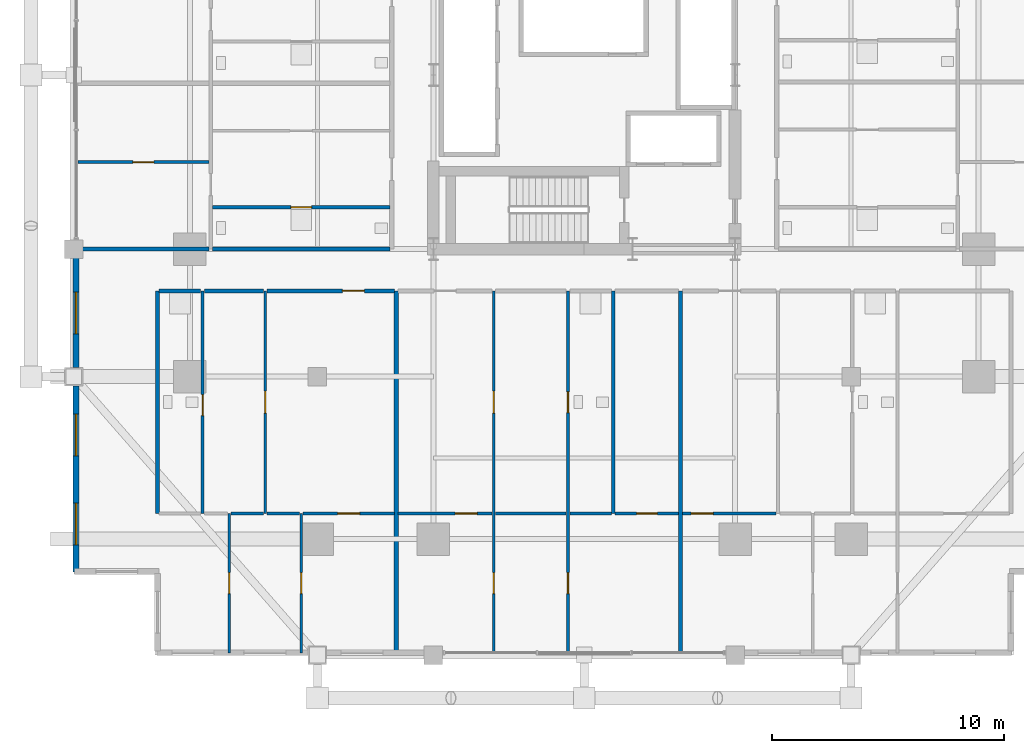
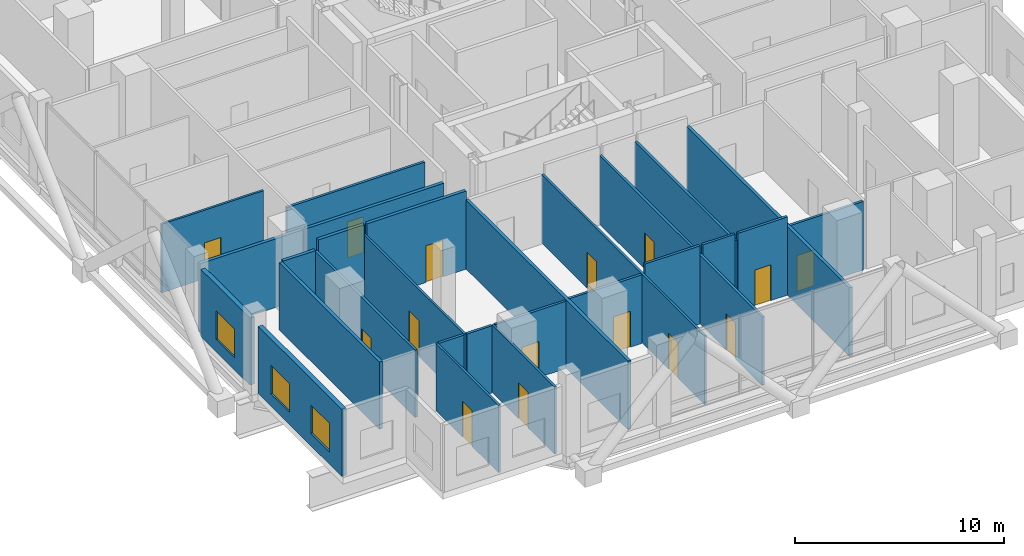
# One storey, part 23 of 33: 27 walls, 15 doors, 3 windows, 18 openings.
"""IFC4 building model written with IfcOpenShell, lengths in metres."""

from ifc_helpers import new_model, si_unit, direction, frame, frame_2d, origin, place, context, subcontext, project, spatial, rectangle, extrude, material, layer, layer_set, type_object, element, fill, save


model = new_model("IFC4")

# Units and contexts
model_context = context("Model", 3, precision=1e-05, world=origin(), true_north=direction((0.0, 1.0)))
body_context = subcontext(model_context, "Body", "Model", "MODEL_VIEW")
ifc_project = project(units=[si_unit("LENGTHUNIT", "METRE"), si_unit("AREAUNIT", "SQUARE_METRE"), si_unit("VOLUMEUNIT", "CUBIC_METRE"), si_unit("PLANEANGLEUNIT", "RADIAN"), si_unit("MASSUNIT", "GRAM", prefix="KILO")], contexts=[model_context])

# Site, building, storey
site_placement = place(None, origin())
site = spatial("IfcSite", under=ifc_project, at=site_placement, CompositionType="ELEMENT")
building_placement = place(site_placement, origin())
building = spatial("IfcBuilding", under=site, at=building_placement, Name="Barlavira Tower and Art Museum", CompositionType="ELEMENT")
storey_placement = place(building_placement, frame((0.0, 0.0, 27.60009765625)))
storey = spatial("IfcBuildingStorey", under=building, at=storey_placement, Name="L05", CompositionType="ELEMENT", Elevation=27.60009765625)

# Wall, opening, door
ifc_material_1 = material(Name="Gypsum acoustic stud partition", Category="gypsum")
ifc_layer_1 = layer(ifc_material_1, 0.1201171875, Name="Gypsum acoustic stud partition")
ifc_layer_set_1 = layer_set([ifc_layer_1], Name="Gypsum acoustic stud partition")
wall_type_1 = type_object("IfcWallType", Name="Apartment Internal Acoustic Partition 120", PredefinedType="PARTITIONING", material=ifc_layer_set_1)
wall_1_placement = place(storey_placement, frame((-15.300048828125, -24.89990234375, 0.0), z_axis=(0.0, 0.0, 1.0), x_axis=(0.0, 1.0, 0.0)))
wall_1 = element("IfcWall", 1, at=wall_1_placement, inside=storey, type_object=wall_type_1, Name="L05 Partition Wall 5", PredefinedType="PARTITIONING", context=body_context, shape_type="SweptSolid", body=[
    extrude(rectangle(XDim=6.0, YDim=0.1201171875, at=frame_2d((3.0, 0.0))), origin(), (0.0, 0.0, 1.0), 3.935791015625),
])
opening_1_placement = place(wall_1_placement, frame((2.550048828125, 0.0, 0.0)))
opening_1 = element("IfcOpeningElement", 2, at=opening_1_placement, cuts=wall_1, Name="Opening D-01", PredefinedType="OPENING", context=body_context, shape_type="SweptSolid", body=[
    extrude(rectangle(XDim=0.89990234375, YDim=2.10009765625, at=frame_2d((0.449951171875, 1.050048828125))), frame((0.0, 0.070068359375, 0.0), z_axis=(0.0, -1.0, 0.0), x_axis=(1.0, 0.0, 0.0)), (0.0, 0.0, 1.0), 0.14013671875),
])
ifc_material_2 = material(Name="Engineered coastal hardwood", Category="wood")
door_type_1 = type_object("IfcDoorType", Name="Internal Bedroom Timber Flush Door 900x2100", OperationType="NOTDEFINED", PredefinedType="DOOR", material=ifc_material_2)
door_1_placement = place(opening_1_placement, origin())
door_1 = element("IfcDoor", 3, at=door_1_placement, inside=storey, type_object=door_type_1, Name="Apartment S1 Bedroom 2 Door", OperationType="SINGLE_SWING_RIGHT", OverallHeight=2.10009765625, OverallWidth=0.89990234375, PredefinedType="DOOR", context=body_context, shape_type="SweptSolid", body=[
    extrude(rectangle(XDim=0.89990234375, YDim=2.10009765625, at=frame_2d((0.449951171875, 1.050048828125))), frame((0.0, 0.02490234375, 0.0), z_axis=(0.0, -1.0, 0.0), x_axis=(1.0, 0.0, 0.0)), (0.0, 0.0, 1.0), 0.050048828125),
])
fill(opening_1, door_1)

wall_2_placement = place(storey_placement, frame((-13.75, -18.89990234375, 0.0), z_axis=(0.0, 0.0, 1.0), x_axis=(0.0, 1.0, 0.0)))
wall_2 = element("IfcWall", 4, at=wall_2_placement, inside=storey, type_object=wall_type_1, Name="L05 Partition Wall 6", PredefinedType="PARTITIONING", context=body_context, shape_type="SweptSolid", body=[
    extrude(rectangle(XDim=9.599853515625, YDim=0.1201171875, at=frame_2d((4.7998046875, 0.0))), origin(), (0.0, 0.0, 1.0), 3.935791015625),
])
opening_2_placement = place(wall_2_placement, frame((4.324951171875, 0.0, 0.0)))
opening_2 = element("IfcOpeningElement", 5, at=opening_2_placement, cuts=wall_2, Name="Opening D-02", PredefinedType="OPENING", context=body_context, shape_type="SweptSolid", body=[
    extrude(rectangle(XDim=0.949951171875, YDim=2.10009765625, at=frame_2d((0.47509765625, 1.050048828125))), frame((0.0, 0.070068359375, 0.0), z_axis=(0.0, -1.0, 0.0), x_axis=(1.0, 0.0, 0.0)), (0.0, 0.0, 1.0), 0.14013671875),
])
door_type_2 = type_object("IfcDoorType", Name="Living and Salon Glazed-Leaf Door 950x2100", OperationType="NOTDEFINED", PredefinedType="DOOR", material=ifc_material_2)
door_2_placement = place(opening_2_placement, origin())
door_2 = element("IfcDoor", 6, at=door_2_placement, inside=storey, type_object=door_type_2, Name="Apartment S1 Kitchen Door", OperationType="SINGLE_SWING_RIGHT", OverallHeight=2.10009765625, OverallWidth=0.949951171875, PredefinedType="DOOR", context=body_context, shape_type="SweptSolid", body=[
    extrude(rectangle(XDim=0.949951171875, YDim=2.10009765625, at=frame_2d((0.47509765625, 1.050048828125))), frame((0.0, 0.02490234375, 0.0), z_axis=(0.0, -1.0, 0.0), x_axis=(1.0, 0.0, 0.0)), (0.0, 0.0, 1.0), 0.050048828125),
])
fill(opening_2, door_2)

wall_3_placement = place(storey_placement, frame((-12.199951171875, -24.89990234375, 0.0), z_axis=(0.0, 0.0, 1.0), x_axis=(0.0, 1.0, 0.0)))
wall_3 = element("IfcWall", 7, at=wall_3_placement, inside=storey, type_object=wall_type_1, Name="L05 Partition Wall 8", PredefinedType="PARTITIONING", context=body_context, shape_type="SweptSolid", body=[
    extrude(rectangle(XDim=6.0, YDim=0.1201171875, at=frame_2d((3.0, 0.0))), origin(), (0.0, 0.0, 1.0), 3.935791015625),
])
opening_3_placement = place(wall_3_placement, frame((2.550048828125, 0.0, 0.0)))
opening_3 = element("IfcOpeningElement", 8, at=opening_3_placement, cuts=wall_3, Name="Opening D-01", PredefinedType="OPENING", context=body_context, shape_type="SweptSolid", body=[
    extrude(rectangle(XDim=0.89990234375, YDim=2.10009765625, at=frame_2d((0.449951171875, 1.050048828125))), frame((0.0, 0.070068359375, 0.0), z_axis=(0.0, -1.0, 0.0), x_axis=(1.0, 0.0, 0.0)), (0.0, 0.0, 1.0), 0.14013671875),
])
door_3_placement = place(opening_3_placement, origin())
door_3 = element("IfcDoor", 9, at=door_3_placement, inside=storey, type_object=door_type_1, Name="Apartment S1 Bedroom 1 Door", OperationType="SINGLE_SWING_LEFT", OverallHeight=2.10009765625, OverallWidth=0.89990234375, PredefinedType="DOOR", context=body_context, shape_type="SweptSolid", body=[
    extrude(rectangle(XDim=0.89990234375, YDim=2.10009765625, at=frame_2d((0.449951171875, 1.050048828125))), frame((0.0, 0.02490234375, 0.0), z_axis=(0.0, -1.0, 0.0), x_axis=(1.0, 0.0, 0.0)), (0.0, 0.0, 1.0), 0.050048828125),
])
fill(opening_3, door_3)

# Wall, openings, doors
wall_4_placement = place(storey_placement, frame((-3.89990234375, -24.89990234375, 0.0), z_axis=(0.0, 0.0, 1.0), x_axis=(0.0, 1.0, 0.0)))
wall_4 = element("IfcWall", 10, at=wall_4_placement, inside=storey, type_object=wall_type_1, Name="L05 Partition Wall 14", PredefinedType="PARTITIONING", context=body_context, shape_type="SweptSolid", body=[
    extrude(rectangle(XDim=15.599853515625, YDim=0.1201171875, at=frame_2d((7.7998046875, 0.0))), origin(), (0.0, 0.0, 1.0), 4.015869140625),
])
opening_4_placement = place(wall_4_placement, frame((10.324951171875, 0.0, 0.0)))
opening_4 = element("IfcOpeningElement", 11, at=opening_4_placement, cuts=wall_4, Name="Opening D-02", PredefinedType="OPENING", context=body_context, shape_type="SweptSolid", body=[
    extrude(rectangle(XDim=0.949951171875, YDim=2.10009765625, at=frame_2d((0.47509765625, 1.050048828125))), frame((0.0, 0.070068359375, 0.0), z_axis=(0.0, -1.0, 0.0), x_axis=(1.0, 0.0, 0.0)), (0.0, 0.0, 1.0), 0.14013671875),
])
opening_5_placement = place(wall_4_placement, frame((2.550048828125, 0.0, 0.0)))
opening_5 = element("IfcOpeningElement", 12, at=opening_5_placement, cuts=wall_4, Name="Opening D-01", PredefinedType="OPENING", context=body_context, shape_type="SweptSolid", body=[
    extrude(rectangle(XDim=0.89990234375, YDim=2.10009765625, at=frame_2d((0.449951171875, 1.050048828125))), frame((0.0, 0.070068359375, 0.0), z_axis=(0.0, -1.0, 0.0), x_axis=(1.0, 0.0, 0.0)), (0.0, 0.0, 1.0), 0.14013671875),
])
door_4_placement = place(opening_5_placement, origin())
door_4 = element("IfcDoor", 13, at=door_4_placement, inside=storey, type_object=door_type_1, Name="Apartment S2 Bedroom 1 Door", OperationType="SINGLE_SWING_RIGHT", OverallHeight=2.10009765625, OverallWidth=0.89990234375, PredefinedType="DOOR", context=body_context, shape_type="SweptSolid", body=[
    extrude(rectangle(XDim=0.89990234375, YDim=2.10009765625, at=frame_2d((0.449951171875, 1.050048828125))), frame((0.0, 0.02490234375, 0.0), z_axis=(0.0, -1.0, 0.0), x_axis=(1.0, 0.0, 0.0)), (0.0, 0.0, 1.0), 0.050048828125),
])
fill(opening_5, door_4)
door_5_placement = place(opening_4_placement, origin())
door_5 = element("IfcDoor", 14, at=door_5_placement, inside=storey, type_object=door_type_2, Name="Apartment S2 Kitchen Door", OperationType="SINGLE_SWING_RIGHT", OverallHeight=2.10009765625, OverallWidth=0.949951171875, PredefinedType="DOOR", context=body_context, shape_type="SweptSolid", body=[
    extrude(rectangle(XDim=0.949951171875, YDim=2.10009765625, at=frame_2d((0.47509765625, 1.050048828125))), frame((0.0, 0.02490234375, 0.0), z_axis=(0.0, -1.0, 0.0), x_axis=(1.0, 0.0, 0.0)), (0.0, 0.0, 1.0), 0.050048828125),
])
fill(opening_4, door_5)

# Wall, opening, door
wall_5_placement = place(storey_placement, frame((-21.820068359375, -3.75, 0.0), z_axis=(0.0, 0.0, 1.0), x_axis=(1.0, 0.0, 0.0)))
wall_5 = element("IfcWall", 15, at=wall_5_placement, inside=storey, type_object=wall_type_1, Name="L05 Partition Wall 64", PredefinedType="PARTITIONING", context=body_context, shape_type="SweptSolid", body=[
    extrude(rectangle(XDim=5.64013671875, YDim=0.1201171875, at=frame_2d((2.820068359375, 0.0))), origin(), (0.0, 0.0, 1.0), 4.015869140625),
])
opening_6_placement = place(wall_5_placement, frame((2.3701171875, 0.0, 0.0)))
opening_6 = element("IfcOpeningElement", 16, at=opening_6_placement, cuts=wall_5, Name="Opening D-01", PredefinedType="OPENING", context=body_context, shape_type="SweptSolid", body=[
    extrude(rectangle(XDim=0.89990234375, YDim=2.10009765625, at=frame_2d((0.449951171875, 1.050048828125))), frame((0.0, 0.070068359375, 0.0), z_axis=(0.0, -1.0, 0.0), x_axis=(1.0, 0.0, 0.0)), (0.0, 0.0, 1.0), 0.14013671875),
])
door_6_placement = place(opening_6_placement, origin())
door_6 = element("IfcDoor", 17, at=door_6_placement, inside=storey, type_object=door_type_1, Name="Apartment W1 Bedroom 1 Door", OperationType="SINGLE_SWING_LEFT", OverallHeight=2.10009765625, OverallWidth=0.89990234375, PredefinedType="DOOR", context=body_context, shape_type="SweptSolid", body=[
    extrude(rectangle(XDim=0.89990234375, YDim=2.10009765625, at=frame_2d((0.449951171875, 1.050048828125))), frame((0.0, 0.02490234375, 0.0), z_axis=(0.0, -1.0, 0.0), x_axis=(1.0, 0.0, 0.0)), (0.0, 0.0, 1.0), 0.050048828125),
])
fill(opening_6, door_6)

# Walls
ifc_layer_2 = layer(ifc_material_1, 0.179931640625, Name="Gypsum acoustic stud partition")
ifc_layer_set_2 = layer_set([ifc_layer_2], Name="Gypsum acoustic stud partition")
wall_type_2 = type_object("IfcWallType", Name="Inter-Tenancy Party Partition Wall 180", PredefinedType="PARTITIONING", material=ifc_layer_set_2)
wall_6_placement = place(storey_placement, frame((-18.39990234375, -18.89990234375, 0.0), z_axis=(0.0, 0.0, 1.0), x_axis=(0.0, 1.0, 0.0)))
element("IfcWall", 18, at=wall_6_placement, inside=storey, type_object=wall_type_2, Name="L05 Partition Wall 1", PredefinedType="PARTITIONING", context=body_context, shape_type="SweptSolid", body=[
    extrude(rectangle(XDim=9.599853515625, YDim=0.179931640625, at=frame_2d((4.7998046875, 0.0))), origin(), (0.0, 0.0, 1.0), 3.935791015625),
])
for number, where, z_axis, x_axis, name in (
    (19, (-8.10009765625, -24.89990234375, 0.0), (0.0, 0.0, 1.0), (0.0, 1.0, 0.0), "L05 Partition Wall 10"),
    (20, (4.14990234375, -24.89990234375, 0.0), (0.0, 0.0, 1.0), (0.0, 1.0, 0.0), "L05 Partition Wall 21"),
):
    element("IfcWall", number, at=place(storey_placement, frame(where, z_axis=z_axis, x_axis=x_axis)), inside=storey, type_object=wall_type_2, Name=name, PredefinedType="PARTITIONING", context=body_context, shape_type="SweptSolid", body=[
        extrude(rectangle(XDim=15.599853515625, YDim=0.179931640625, at=frame_2d((7.7998046875, 0.0))), origin(), (0.0, 0.0, 1.0), 4.015869140625),
    ])
wall_7_placement = place(storey_placement, frame((-18.320068359375, -9.300048828125, 0.0), z_axis=(0.0, 0.0, 1.0), x_axis=(1.0, 0.0, 0.0)))
element("IfcWall", 21, at=wall_7_placement, inside=storey, type_object=wall_type_2, Name="L05 Partition Wall 47", PredefinedType="PARTITIONING", context=body_context, shape_type="SweptSolid", body=[
    extrude(rectangle(XDim=1.7900390625, YDim=0.179931640625, at=frame_2d((0.89501953125, 0.0))), origin(), (0.0, 0.0, 1.0), 4.015869140625),
])
wall_8_placement = place(storey_placement, frame((-16.3701171875, -9.300048828125, 0.0), z_axis=(0.0, 0.0, 1.0), x_axis=(1.0, 0.0, 0.0)))
element("IfcWall", 22, at=wall_8_placement, inside=storey, type_object=wall_type_2, Name="L05 Partition Wall 48", PredefinedType="PARTITIONING", context=body_context, shape_type="SweptSolid", body=[
    extrude(rectangle(XDim=2.5400390625, YDim=0.179931640625, at=frame_2d((1.27001953125, 0.0))), origin(), (0.0, 0.0, 1.0), 4.579833984375),
])

# Wall, opening, door
wall_9_placement = place(storey_placement, frame((-13.669921875, -9.300048828125, 0.0), z_axis=(0.0, 0.0, 1.0), x_axis=(1.0, 0.0, 0.0)))
wall_9 = element("IfcWall", 23, at=wall_9_placement, inside=storey, type_object=wall_type_2, Name="L05 Partition Wall 49", PredefinedType="PARTITIONING", context=body_context, shape_type="SweptSolid", body=[
    extrude(rectangle(XDim=5.489990234375, YDim=0.179931640625, at=frame_2d((2.7451171875, 0.0))), origin(), (0.0, 0.0, 1.0), 4.579833984375),
])
opening_7_placement = place(wall_9_placement, frame((3.2451171875, 0.0, 0.0)))
opening_7 = element("IfcOpeningElement", 24, at=opening_7_placement, cuts=wall_9, Name="Opening FD-60", PredefinedType="OPENING", context=body_context, shape_type="SweptSolid", body=[
    extrude(rectangle(XDim=0.949951171875, YDim=2.14990234375, at=frame_2d((0.47509765625, 1.074951171875))), frame((0.0, 0.10009765625, 0.0), z_axis=(0.0, -1.0, 0.0), x_axis=(1.0, 0.0, 0.0)), (0.0, 0.0, 1.0), 0.199951171875),
])
ifc_material_3 = material(Name="Brushed stainless steel", Category="steel")
door_type_3 = type_object("IfcDoorType", Name="Apartment Entrance and Riser Fire Door 950x2150 FD60S", OperationType="NOTDEFINED", PredefinedType="DOOR", material=ifc_material_3)
door_7_placement = place(opening_7_placement, origin())
door_7 = element("IfcDoor", 25, at=door_7_placement, inside=storey, type_object=door_type_3, Name="Apartment Entrance Hall S1 Door", OperationType="SINGLE_SWING_LEFT", OverallHeight=2.14990234375, OverallWidth=0.949951171875, PredefinedType="DOOR", context=body_context, shape_type="SweptSolid", body=[
    extrude(rectangle(XDim=0.949951171875, YDim=2.14990234375, at=frame_2d((0.47509765625, 1.074951171875))), frame((0.0, 0.02490234375, 0.0), z_axis=(0.0, -1.0, 0.0), x_axis=(1.0, 0.0, 0.0)), (0.0, 0.0, 1.0), 0.050048828125),
])
fill(opening_7, door_7)

# Walls
wall_10_placement = place(storey_placement, frame((-21.89990234375, -7.5, 0.0), z_axis=(0.0, 0.0, 1.0), x_axis=(1.0, 0.0, 0.0)))
element("IfcWall", 26, at=wall_10_placement, inside=storey, type_object=wall_type_2, Name="L05 Partition Wall 58", PredefinedType="PARTITIONING", context=body_context, shape_type="SweptSolid", body=[
    extrude(rectangle(XDim=5.719970703125, YDim=0.179931640625, at=frame_2d((2.85986328125, 0.0))), origin(), (0.0, 0.0, 1.0), 4.015869140625),
])
wall_11_placement = place(storey_placement, frame((-16.02001953125, -7.5, 0.0), z_axis=(0.0, 0.0, 1.0), x_axis=(1.0, 0.0, 0.0)))
element("IfcWall", 27, at=wall_11_placement, inside=storey, type_object=wall_type_2, Name="L05 Partition Wall 59", PredefinedType="PARTITIONING", context=body_context, shape_type="SweptSolid", body=[
    extrude(rectangle(XDim=7.64013671875, YDim=0.179931640625, at=frame_2d((3.820068359375, 0.0))), origin(), (0.0, 0.0, 1.0), 4.015869140625),
])

# Wall, opening, door
ifc_layer_3 = layer(ifc_material_1, 0.139892578125, Name="Gypsum acoustic stud partition")
ifc_layer_set_3 = layer_set([ifc_layer_3], Name="Gypsum acoustic stud partition")
wall_type_3 = type_object("IfcWallType", Name="Moisture-Resistant Bathroom Partition 140", PredefinedType="PARTITIONING", material=ifc_layer_set_3)
wall_12_placement = place(storey_placement, frame((-16.449951171875, -18.89990234375, 0.0), z_axis=(0.0, 0.0, 1.0), x_axis=(0.0, 1.0, 0.0)))
wall_12 = element("IfcWall", 28, at=wall_12_placement, inside=storey, type_object=wall_type_3, Name="L05 Partition Wall 3", PredefinedType="PARTITIONING", context=body_context, shape_type="SweptSolid", body=[
    extrude(rectangle(XDim=9.599853515625, YDim=0.139892578125, at=frame_2d((4.7998046875, 0.0))), origin(), (0.0, 0.0, 1.0), 3.935791015625),
])
opening_8_placement = place(wall_12_placement, frame((4.2216796875, 0.0, 0.0)))
opening_8 = element("IfcOpeningElement", 29, at=opening_8_placement, cuts=wall_12, Name="Opening D-WC", PredefinedType="OPENING", context=body_context, shape_type="SweptSolid", body=[
    extrude(rectangle(XDim=0.89990234375, YDim=2.10009765625, at=frame_2d((0.449951171875, 1.050048828125))), frame((0.0, 0.080078125, 0.0), z_axis=(0.0, -1.0, 0.0), x_axis=(1.0, 0.0, 0.0)), (0.0, 0.0, 1.0), 0.159912109375),
])
door_type_4 = type_object("IfcDoorType", Name="Accessible Bathroom Flush Door 900x2100", OperationType="NOTDEFINED", PredefinedType="DOOR", material=ifc_material_2)
door_8_placement = place(opening_8_placement, origin())
door_8 = element("IfcDoor", 30, at=door_8_placement, inside=storey, type_object=door_type_4, Name="Apartment S1 Hall Bathroom Door", OperationType="SINGLE_SWING_LEFT", OverallHeight=2.10009765625, OverallWidth=0.89990234375, PredefinedType="DOOR", context=body_context, shape_type="SweptSolid", body=[
    extrude(rectangle(XDim=0.89990234375, YDim=2.10009765625, at=frame_2d((0.449951171875, 1.050048828125))), frame((0.0, 0.02490234375, 0.0), z_axis=(0.0, -1.0, 0.0), x_axis=(1.0, 0.0, 0.0)), (0.0, 0.0, 1.0), 0.050048828125),
])
fill(opening_8, door_8)

# Wall, openings, doors
wall_13_placement = place(storey_placement, frame((-0.699951171875, -24.89990234375, 0.0), z_axis=(0.0, 0.0, 1.0), x_axis=(0.0, 1.0, 0.0)))
wall_13 = element("IfcWall", 31, at=wall_13_placement, inside=storey, type_object=wall_type_3, Name="L05 Partition Wall 15", PredefinedType="PARTITIONING", context=body_context, shape_type="SweptSolid", body=[
    extrude(rectangle(XDim=15.599853515625, YDim=0.139892578125, at=frame_2d((7.7998046875, 0.0))), origin(), (0.0, 0.0, 1.0), 4.015869140625),
])
opening_9_placement = place(wall_13_placement, frame((10.35009765625, 0.0, 0.0)))
opening_9 = element("IfcOpeningElement", 32, at=opening_9_placement, cuts=wall_13, Name="Opening D-WC", PredefinedType="OPENING", context=body_context, shape_type="SweptSolid", body=[
    extrude(rectangle(XDim=0.89990234375, YDim=2.10009765625, at=frame_2d((0.449951171875, 1.050048828125))), frame((0.0, 0.080078125, 0.0), z_axis=(0.0, -1.0, 0.0), x_axis=(1.0, 0.0, 0.0)), (0.0, 0.0, 1.0), 0.159912109375),
])
opening_10_placement = place(wall_13_placement, frame((2.550048828125, 0.0, 0.0)))
opening_10 = element("IfcOpeningElement", 33, at=opening_10_placement, cuts=wall_13, Name="Opening D-01", PredefinedType="OPENING", context=body_context, shape_type="SweptSolid", body=[
    extrude(rectangle(XDim=0.89990234375, YDim=2.10009765625, at=frame_2d((0.449951171875, 1.050048828125))), frame((0.0, 0.080078125, 0.0), z_axis=(0.0, -1.0, 0.0), x_axis=(1.0, 0.0, 0.0)), (0.0, 0.0, 1.0), 0.159912109375),
])
door_9_placement = place(opening_9_placement, origin())
door_9 = element("IfcDoor", 34, at=door_9_placement, inside=storey, type_object=door_type_4, Name="Apartment S2 Hall Bathroom Door", OperationType="SINGLE_SWING_LEFT", OverallHeight=2.10009765625, OverallWidth=0.89990234375, PredefinedType="DOOR", context=body_context, shape_type="SweptSolid", body=[
    extrude(rectangle(XDim=0.89990234375, YDim=2.10009765625, at=frame_2d((0.449951171875, 1.050048828125))), frame((0.0, 0.02490234375, 0.0), z_axis=(0.0, -1.0, 0.0), x_axis=(1.0, 0.0, 0.0)), (0.0, 0.0, 1.0), 0.050048828125),
])
fill(opening_9, door_9)
door_10_placement = place(opening_10_placement, origin())
door_10 = element("IfcDoor", 35, at=door_10_placement, inside=storey, type_object=door_type_1, Name="Apartment S2 Bedroom 2 Door", OperationType="SINGLE_SWING_LEFT", OverallHeight=2.10009765625, OverallWidth=0.89990234375, PredefinedType="DOOR", context=body_context, shape_type="SweptSolid", body=[
    extrude(rectangle(XDim=0.89990234375, YDim=2.10009765625, at=frame_2d((0.449951171875, 1.050048828125))), frame((0.0, 0.02490234375, 0.0), z_axis=(0.0, -1.0, 0.0), x_axis=(1.0, 0.0, 0.0)), (0.0, 0.0, 1.0), 0.050048828125),
])
fill(opening_10, door_10)

# Walls
wall_14_placement = place(storey_placement, frame((1.25, -18.89990234375, 0.0), z_axis=(0.0, 0.0, 1.0), x_axis=(0.0, 1.0, 0.0)))
element("IfcWall", 36, at=wall_14_placement, inside=storey, type_object=wall_type_3, Name="L05 Partition Wall 17", PredefinedType="PARTITIONING", context=body_context, shape_type="SweptSolid", body=[
    extrude(rectangle(XDim=9.599853515625, YDim=0.139892578125, at=frame_2d((4.7998046875, 0.0))), origin(), (0.0, 0.0, 1.0), 4.14794921875),
])
for number, where, z_axis, x_axis, name in (
    (37, (-15.219970703125, -18.89990234375, 0.0), (0.0, 0.0, 1.0), (1.0, 0.0, 0.0), "L05 Partition Wall 35"),
    (38, (-13.669921875, -18.89990234375, 0.0), (0.0, 0.0, 1.0), (1.0, 0.0, 0.0), "L05 Partition Wall 36"),
):
    element("IfcWall", number, at=place(storey_placement, frame(where, z_axis=z_axis, x_axis=x_axis)), inside=storey, type_object=wall_type_3, Name=name, PredefinedType="PARTITIONING", context=body_context, shape_type="SweptSolid", body=[
        extrude(rectangle(XDim=1.389892578125, YDim=0.139892578125, at=frame_2d((0.69482421875, 0.0))), origin(), (0.0, 0.0, 1.0), 3.935791015625),
    ])

# Wall, opening, door
wall_15_placement = place(storey_placement, frame((-12.1201171875, -18.89990234375, 0.0), z_axis=(0.0, 0.0, 1.0), x_axis=(1.0, 0.0, 0.0)))
wall_15 = element("IfcWall", 39, at=wall_15_placement, inside=storey, type_object=wall_type_3, Name="L05 Partition Wall 37", PredefinedType="PARTITIONING", context=body_context, shape_type="SweptSolid", body=[
    extrude(rectangle(XDim=3.940185546875, YDim=0.139892578125, at=frame_2d((1.97021484375, 0.0))), origin(), (0.0, 0.0, 1.0), 3.935791015625),
])
opening_11_placement = place(wall_15_placement, frame((1.485107421875, 0.0, 0.0)))
opening_11 = element("IfcOpeningElement", 40, at=opening_11_placement, cuts=wall_15, Name="Opening D-02", PredefinedType="OPENING", context=body_context, shape_type="SweptSolid", body=[
    extrude(rectangle(XDim=0.949951171875, YDim=2.10009765625, at=frame_2d((0.47509765625, 1.050048828125))), frame((0.0, 0.080078125, 0.0), z_axis=(0.0, -1.0, 0.0), x_axis=(1.0, 0.0, 0.0)), (0.0, 0.0, 1.0), 0.159912109375),
])
door_11_placement = place(opening_11_placement, origin())
door_11 = element("IfcDoor", 41, at=door_11_placement, inside=storey, type_object=door_type_2, Name="Apartment S1 Living Lounge Door", OperationType="SINGLE_SWING_RIGHT", OverallHeight=2.10009765625, OverallWidth=0.949951171875, PredefinedType="DOOR", context=body_context, shape_type="SweptSolid", body=[
    extrude(rectangle(XDim=0.949951171875, YDim=2.10009765625, at=frame_2d((0.47509765625, 1.050048828125))), frame((0.0, 0.02490234375, 0.0), z_axis=(0.0, -1.0, 0.0), x_axis=(1.0, 0.0, 0.0)), (0.0, 0.0, 1.0), 0.050048828125),
])
fill(opening_11, door_11)

wall_16_placement = place(storey_placement, frame((-8.02001953125, -18.89990234375, 0.0), z_axis=(0.0, 0.0, 1.0), x_axis=(1.0, 0.0, 0.0)))
wall_16 = element("IfcWall", 42, at=wall_16_placement, inside=storey, type_object=wall_type_3, Name="L05 Partition Wall 38", PredefinedType="PARTITIONING", context=body_context, shape_type="SweptSolid", body=[
    extrude(rectangle(XDim=4.0400390625, YDim=0.139892578125, at=frame_2d((2.02001953125, 0.0))), origin(), (0.0, 0.0, 1.0), 4.015869140625),
])
opening_12_placement = place(wall_16_placement, frame((2.451904296875, 0.0, 0.0)))
opening_12 = element("IfcOpeningElement", 43, at=opening_12_placement, cuts=wall_16, Name="Opening D-02", PredefinedType="OPENING", context=body_context, shape_type="SweptSolid", body=[
    extrude(rectangle(XDim=0.949951171875, YDim=2.10009765625, at=frame_2d((0.47509765625, 1.050048828125))), frame((0.0, 0.080078125, 0.0), z_axis=(0.0, -1.0, 0.0), x_axis=(1.0, 0.0, 0.0)), (0.0, 0.0, 1.0), 0.159912109375),
])
door_12_placement = place(opening_12_placement, origin())
door_12 = element("IfcDoor", 44, at=door_12_placement, inside=storey, type_object=door_type_2, Name="Apartment S2 Living Lounge Door", OperationType="SINGLE_SWING_LEFT", OverallHeight=2.10009765625, OverallWidth=0.949951171875, PredefinedType="DOOR", context=body_context, shape_type="SweptSolid", body=[
    extrude(rectangle(XDim=0.949951171875, YDim=2.10009765625, at=frame_2d((0.47509765625, 1.050048828125))), frame((0.0, 0.02490234375, 0.0), z_axis=(0.0, -1.0, 0.0), x_axis=(1.0, 0.0, 0.0)), (0.0, 0.0, 1.0), 0.050048828125),
])
fill(opening_12, door_12)

# Walls
wall_17_placement = place(storey_placement, frame((-3.820068359375, -18.89990234375, 0.0), z_axis=(0.0, 0.0, 1.0), x_axis=(1.0, 0.0, 0.0)))
element("IfcWall", 45, at=wall_17_placement, inside=storey, type_object=wall_type_3, Name="L05 Partition Wall 39", PredefinedType="PARTITIONING", context=body_context, shape_type="SweptSolid", body=[
    extrude(rectangle(XDim=3.0400390625, YDim=0.139892578125, at=frame_2d((1.52001953125, 0.0))), origin(), (0.0, 0.0, 1.0), 4.579833984375),
])
wall_18_placement = place(storey_placement, frame((-0.6201171875, -18.89990234375, 0.0), z_axis=(0.0, 0.0, 1.0), x_axis=(1.0, 0.0, 0.0)))
element("IfcWall", 46, at=wall_18_placement, inside=storey, type_object=wall_type_3, Name="L05 Partition Wall 40", PredefinedType="PARTITIONING", context=body_context, shape_type="SweptSolid", body=[
    extrude(rectangle(XDim=1.7900390625, YDim=0.139892578125, at=frame_2d((0.89501953125, 0.0))), origin(), (0.0, 0.0, 1.0), 4.579833984375),
])

# Wall, opening, door
wall_19_placement = place(storey_placement, frame((1.330078125, -18.89990234375, 0.0), z_axis=(0.0, 0.0, 1.0), x_axis=(1.0, 0.0, 0.0)))
wall_19 = element("IfcWall", 47, at=wall_19_placement, inside=storey, type_object=wall_type_3, Name="L05 Partition Wall 41", PredefinedType="PARTITIONING", context=body_context, shape_type="SweptSolid", body=[
    extrude(rectangle(XDim=2.739990234375, YDim=0.139892578125, at=frame_2d((1.3701171875, 0.0))), origin(), (0.0, 0.0, 1.0), 4.579833984375),
])
opening_13_placement = place(wall_19_placement, frame((0.925048828125, 0.0, 0.0)))
opening_13 = element("IfcOpeningElement", 48, at=opening_13_placement, cuts=wall_19, Name="Opening D-01", PredefinedType="OPENING", context=body_context, shape_type="SweptSolid", body=[
    extrude(rectangle(XDim=0.89990234375, YDim=2.10009765625, at=frame_2d((0.449951171875, 1.050048828125))), frame((0.0, 0.080078125, 0.0), z_axis=(0.0, -1.0, 0.0), x_axis=(1.0, 0.0, 0.0)), (0.0, 0.0, 1.0), 0.159912109375),
])
door_13_placement = place(opening_13_placement, origin())
door_13 = element("IfcDoor", 49, at=door_13_placement, inside=storey, type_object=door_type_1, Name="Apartment S2 Walk-In Dressing Room Door", OperationType="SINGLE_SWING_RIGHT", OverallHeight=2.10009765625, OverallWidth=0.89990234375, PredefinedType="DOOR", context=body_context, shape_type="SweptSolid", body=[
    extrude(rectangle(XDim=0.89990234375, YDim=2.10009765625, at=frame_2d((0.449951171875, 1.050048828125))), frame((0.0, 0.02490234375, 0.0), z_axis=(0.0, -1.0, 0.0), x_axis=(1.0, 0.0, 0.0)), (0.0, 0.0, 1.0), 0.050048828125),
])
fill(opening_13, door_13)

wall_20_placement = place(storey_placement, frame((4.22998046875, -18.89990234375, 0.0), z_axis=(0.0, 0.0, 1.0), x_axis=(1.0, 0.0, 0.0)))
wall_20 = element("IfcWall", 50, at=wall_20_placement, inside=storey, type_object=wall_type_3, Name="L05 Partition Wall 42", PredefinedType="PARTITIONING", context=body_context, shape_type="SweptSolid", body=[
    extrude(rectangle(XDim=4.0400390625, YDim=0.139892578125, at=frame_2d((2.02001953125, 0.0))), origin(), (0.0, 0.0, 1.0), 4.015869140625),
])
opening_14_placement = place(wall_20_placement, frame((0.379150390625, 0.0, 0.0)))
opening_14 = element("IfcOpeningElement", 51, at=opening_14_placement, cuts=wall_20, Name="Opening D-02", PredefinedType="OPENING", context=body_context, shape_type="SweptSolid", body=[
    extrude(rectangle(XDim=0.949951171875, YDim=2.10009765625, at=frame_2d((0.47509765625, 1.050048828125))), frame((0.0, 0.080078125, 0.0), z_axis=(0.0, -1.0, 0.0), x_axis=(1.0, 0.0, 0.0)), (0.0, 0.0, 1.0), 0.159912109375),
])
door_14_placement = place(opening_14_placement, origin())
door_14 = element("IfcDoor", 52, at=door_14_placement, inside=storey, type_object=door_type_2, Name="Apartment S3 Living Lounge Door", OperationType="SINGLE_SWING_RIGHT", OverallHeight=2.10009765625, OverallWidth=0.949951171875, PredefinedType="DOOR", context=body_context, shape_type="SweptSolid", body=[
    extrude(rectangle(XDim=0.949951171875, YDim=2.10009765625, at=frame_2d((0.47509765625, 1.050048828125))), frame((0.0, 0.02490234375, 0.0), z_axis=(0.0, -1.0, 0.0), x_axis=(1.0, 0.0, 0.0)), (0.0, 0.0, 1.0), 0.050048828125),
])
fill(opening_14, door_14)

wall_21_placement = place(storey_placement, frame((-16.02001953125, -5.699951171875, 0.0), z_axis=(0.0, 0.0, 1.0), x_axis=(1.0, 0.0, 0.0)))
wall_21 = element("IfcWall", 53, at=wall_21_placement, inside=storey, type_object=wall_type_3, Name="L05 Partition Wall 62", PredefinedType="PARTITIONING", context=body_context, shape_type="SweptSolid", body=[
    extrude(rectangle(XDim=7.64013671875, YDim=0.139892578125, at=frame_2d((3.820068359375, 0.0))), origin(), (0.0, 0.0, 1.0), 4.14794921875),
])
opening_15_placement = place(wall_21_placement, frame((3.3701171875, 0.0, 0.0)))
opening_15 = element("IfcOpeningElement", 54, at=opening_15_placement, cuts=wall_21, Name="Opening D-WC", PredefinedType="OPENING", context=body_context, shape_type="SweptSolid", body=[
    extrude(rectangle(XDim=0.89990234375, YDim=2.10009765625, at=frame_2d((0.449951171875, 1.050048828125))), frame((0.0, 0.080078125, 0.0), z_axis=(0.0, -1.0, 0.0), x_axis=(1.0, 0.0, 0.0)), (0.0, 0.0, 1.0), 0.159912109375),
])
door_15_placement = place(opening_15_placement, origin())
door_15 = element("IfcDoor", 55, at=door_15_placement, inside=storey, type_object=door_type_4, Name="Apartment W1 Hall Bathroom Door", OperationType="SINGLE_SWING_LEFT", OverallHeight=2.10009765625, OverallWidth=0.89990234375, PredefinedType="DOOR", context=body_context, shape_type="SweptSolid", body=[
    extrude(rectangle(XDim=0.89990234375, YDim=2.10009765625, at=frame_2d((0.449951171875, 1.050048828125))), frame((0.0, 0.02490234375, 0.0), z_axis=(0.0, -1.0, 0.0), x_axis=(1.0, 0.0, 0.0)), (0.0, 0.0, 1.0), 0.050048828125),
])
fill(opening_15, door_15)

# Wall, opening, window
ifc_material_4 = material(Name="Precast concrete C40", Category="concrete")
ifc_layer_4 = layer(ifc_material_4, 0.25, Name="Precast concrete C40")
ifc_layer_set_4 = layer_set([ifc_layer_4], Name="Precast concrete C40")
wall_type_4 = type_object("IfcWallType", Name="Notched Corner Spandrel Wall 250 Precast Concrete C40", PredefinedType="SOLIDWALL", material=ifc_layer_set_4)
wall_22_placement = place(storey_placement, frame((-21.89990234375, -7.89501953125, 0.0), z_axis=(0.0, 0.0, 1.0), x_axis=(0.0, -1.0, 0.0)))
wall_22 = element("IfcWall", 56, at=wall_22_placement, inside=storey, type_object=wall_type_4, Name="L05 Coastal Facade Pier Wall CW1-L05-W-4", PredefinedType="SOLIDWALL", context=body_context, shape_type="SweptSolid", body=[
    extrude(rectangle(XDim=4.7099609375, YDim=0.25, at=frame_2d((2.35498046875, 0.0))), origin(), (0.0, 0.0, 1.0), 3.935791015625),
])
opening_16_placement = place(wall_22_placement, frame((1.455078125, 0.0, 0.719970703125)))
opening_16 = element("IfcOpeningElement", 57, at=opening_16_placement, cuts=wall_22, Name="Opening WN-01", PredefinedType="OPENING", context=body_context, shape_type="SweptSolid", body=[
    extrude(rectangle(XDim=1.800048828125, YDim=1.679931640625, at=frame_2d((0.89990234375, 0.83984375))), frame((0.0, 0.135009765625, 0.0), z_axis=(0.0, -1.0, 0.0), x_axis=(1.0, 0.0, 0.0)), (0.0, 0.0, 1.0), 0.27001953125),
])
ifc_material_5 = material(Name="Low-iron coastal laminated glass", Category="glass")
window_type = type_object("IfcWindowType", Name="Recessed Notch Corner Punch Window 1800x1680", PartitioningType="SINGLE_PANEL", PredefinedType="WINDOW", material=ifc_material_5)
window_1_placement = place(opening_16_placement, origin())
window_1 = element("IfcWindow", 58, at=window_1_placement, inside=storey, type_object=window_type, Name="L05 Punched Facade Window EWP-CW1-L05-W-4-1", OverallHeight=1.679931640625, OverallWidth=1.800048828125, PartitioningType="SINGLE_PANEL", PredefinedType="WINDOW", context=body_context, shape_type="SweptSolid", body=[
    extrude(rectangle(XDim=1.800048828125, YDim=1.679931640625, at=frame_2d((0.89990234375, 0.83984375))), frame((0.0, 0.030029296875, 0.0), z_axis=(0.0, -1.0, 0.0), x_axis=(1.0, 0.0, 0.0)), (0.0, 0.0, 1.0), 0.06005859375),
])
fill(opening_16, window_1)

# Wall, openings, windows
wall_23_placement = place(storey_placement, frame((-21.89990234375, -13.39501953125, 0.0), z_axis=(0.0, 0.0, 1.0), x_axis=(0.0, -1.0, 0.0)))
wall_23 = element("IfcWall", 59, at=wall_23_placement, inside=storey, type_object=wall_type_4, Name="L05 Coastal Facade Pier Wall CW1-L05-W-5", PredefinedType="SOLIDWALL", context=body_context, shape_type="SweptSolid", body=[
    extrude(rectangle(XDim=8.030029296875, YDim=0.25, at=frame_2d((4.01513671875, 0.0))), origin(), (0.0, 0.0, 1.0), 3.935791015625),
])
opening_17_placement = place(wall_23_placement, frame((1.220947265625, 0.0, 0.719970703125)))
opening_17 = element("IfcOpeningElement", 60, at=opening_17_placement, cuts=wall_23, Name="Opening WN-01", PredefinedType="OPENING", context=body_context, shape_type="SweptSolid", body=[
    extrude(rectangle(XDim=1.800048828125, YDim=1.679931640625, at=frame_2d((0.89990234375, 0.83984375))), frame((0.0, 0.135009765625, 0.0), z_axis=(0.0, -1.0, 0.0), x_axis=(1.0, 0.0, 0.0)), (0.0, 0.0, 1.0), 0.27001953125),
])
opening_18_placement = place(wall_23_placement, frame((5.053955078125, 0.0, 0.719970703125)))
opening_18 = element("IfcOpeningElement", 61, at=opening_18_placement, cuts=wall_23, Name="Opening WN-01", PredefinedType="OPENING", context=body_context, shape_type="SweptSolid", body=[
    extrude(rectangle(XDim=1.800048828125, YDim=1.679931640625, at=frame_2d((0.89990234375, 0.83984375))), frame((0.0, 0.135009765625, 0.0), z_axis=(0.0, -1.0, 0.0), x_axis=(1.0, 0.0, 0.0)), (0.0, 0.0, 1.0), 0.27001953125),
])
window_2_placement = place(opening_17_placement, origin())
window_2 = element("IfcWindow", 62, at=window_2_placement, inside=storey, type_object=window_type, Name="L05 Punched Facade Window EWP-CW1-L05-W-5-1", OverallHeight=1.679931640625, OverallWidth=1.800048828125, PartitioningType="SINGLE_PANEL", PredefinedType="WINDOW", context=body_context, shape_type="SweptSolid", body=[
    extrude(rectangle(XDim=1.800048828125, YDim=1.679931640625, at=frame_2d((0.89990234375, 0.83984375))), frame((0.0, 0.030029296875, 0.0), z_axis=(0.0, -1.0, 0.0), x_axis=(1.0, 0.0, 0.0)), (0.0, 0.0, 1.0), 0.06005859375),
])
fill(opening_17, window_2)
window_3_placement = place(opening_18_placement, origin())
window_3 = element("IfcWindow", 63, at=window_3_placement, inside=storey, type_object=window_type, Name="L05 Punched Facade Window EWP-CW1-L05-W-5-2", OverallHeight=1.679931640625, OverallWidth=1.800048828125, PartitioningType="SINGLE_PANEL", PredefinedType="WINDOW", context=body_context, shape_type="SweptSolid", body=[
    extrude(rectangle(XDim=1.800048828125, YDim=1.679931640625, at=frame_2d((0.89990234375, 0.83984375))), frame((0.0, 0.030029296875, 0.0), z_axis=(0.0, -1.0, 0.0), x_axis=(1.0, 0.0, 0.0)), (0.0, 0.0, 1.0), 0.06005859375),
])
fill(opening_18, window_3)

save(model, "model.ifc")
